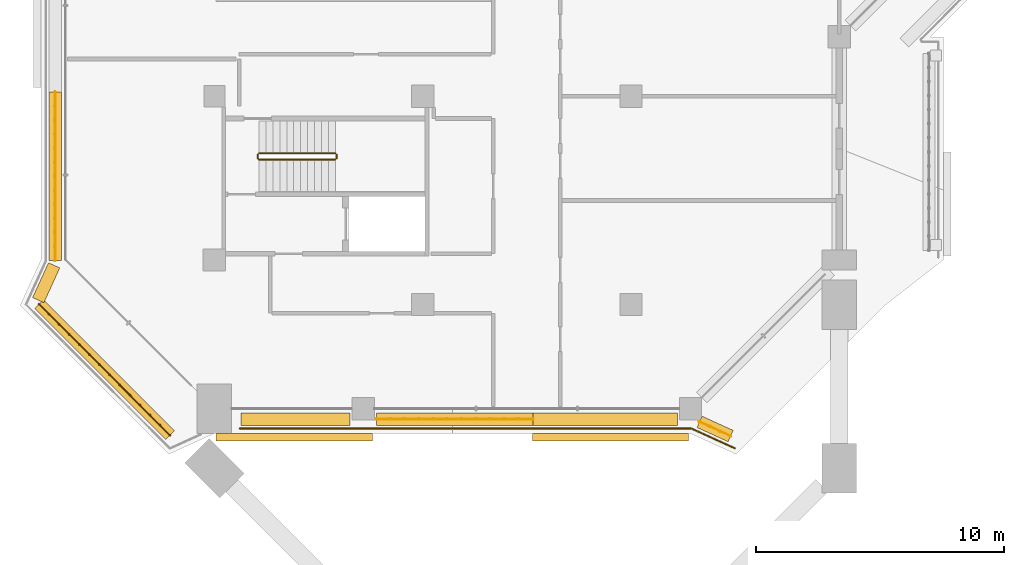
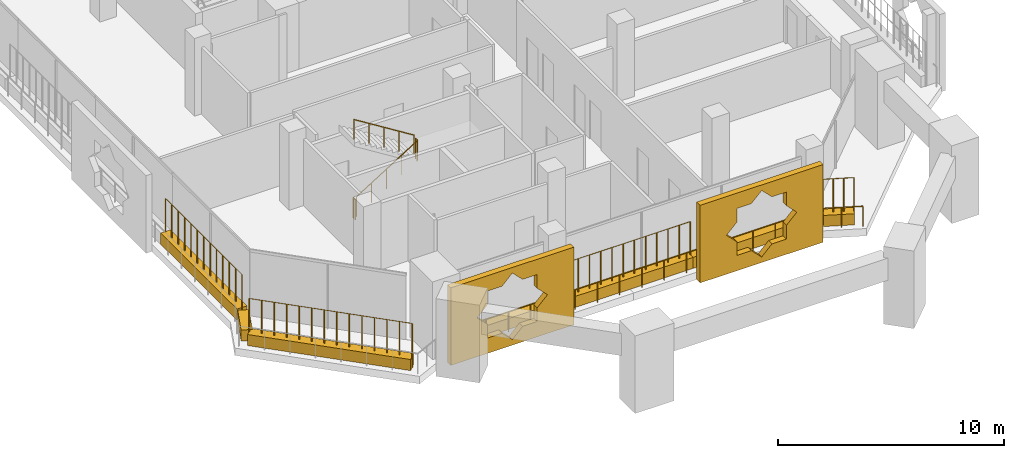
# One storey, part 17 of 23: 9 coverings, 9 railings.
"""IFC4 building model written with IfcOpenShell, lengths in metres."""

import ifcopenshell
import ifcopenshell.guid

model = None  # the IFC model being written
_history = None  # IfcOwnerHistory: only IFC2X3 demands one
_inside = {}  # id of a spatial element -> (the spatial element, [elements in it])
_under = {}  # id of a project, library or spatial element -> (it, [spatial elements below it])
_declared = {}  # id of a project -> (the project, [libraries it declares])
_typed = {}  # id of a type object -> (the type object, [elements of that type])
_made_of = {}  # id of a material, layer set ... -> (it, [elements and type objects made of it])


def new_model(schema):
    """Start an empty IFC model of exactly this schema.

    Asked for "IFC4X3", IfcOpenShell would pick the latest addendum, in which some entities
    have other attributes; the version numbers below select the first issue.
    IFC2X3 requires an IfcOwnerHistory on every rooted entity: one is made here for all.
    """
    global model, _history
    if schema == "IFC4X3":
        model = ifcopenshell.file(schema_version=(4, 3, 0, 0))
    else:
        model = ifcopenshell.file(schema=schema)
    _inside.clear()
    _under.clear()
    _declared.clear()
    _typed.clear()
    _made_of.clear()
    _history = None
    if model.schema == "IFC2X3":
        org = make("IfcOrganization", Name="unknown")
        user = make(
            "IfcPersonAndOrganization",
            ThePerson=make("IfcPerson", FamilyName="unknown"),
            TheOrganization=org,
        )
        app = make(
            "IfcApplication",
            ApplicationDeveloper=org,
            Version="unknown",
            ApplicationFullName="unknown",
            ApplicationIdentifier="unknown",
        )
        _history = make(
            "IfcOwnerHistory",
            OwningUser=user,
            OwningApplication=app,
            ChangeAction="ADDED",
            CreationDate=0,
        )
    return model


def make(cls, **values):
    """One entity of the class cls with the attributes given. An attribute that is None is left unset."""
    return model.create_entity(
        cls, **{name: value for name, value in values.items() if value is not None}
    )


def rooted(cls, **values):
    """An entity with a GlobalId (a new one), such as an element, a storey or a relation."""
    return make(cls, GlobalId=ifcopenshell.guid.new(), OwnerHistory=_history, **values)


def si_unit(unit_type, name, prefix=None):
    """IfcSIUnit, for example si_unit("LENGTHUNIT", "METRE", prefix="MILLI")."""
    return make("IfcSIUnit", UnitType=unit_type, Prefix=prefix, Name=name)


def assignment(units):
    """IfcUnitAssignment: the units of a project."""
    return None if units is None else make("IfcUnitAssignment", Units=units)


def point(xyz):
    """IfcCartesianPoint."""
    return None if xyz is None else make("IfcCartesianPoint", Coordinates=xyz)


def direction(xyz):
    """IfcDirection."""
    return None if xyz is None else make("IfcDirection", DirectionRatios=xyz)


def frame(location, z_axis=None, x_axis=None):
    """IfcAxis2Placement3D, a coordinate frame: its origin and axes. An axis left out is left unset."""
    return make(
        "IfcAxis2Placement3D",
        Location=point(location),
        Axis=direction(z_axis),
        RefDirection=direction(x_axis),
    )


def frame_2d(location, x_axis=None):
    """IfcAxis2Placement2D, a coordinate frame in the plane: its origin and x axis."""
    return make(
        "IfcAxis2Placement2D", Location=point(location), RefDirection=direction(x_axis)
    )


def origin():
    """The frame at (0, 0, 0) with its axes left unset."""
    return frame((0.0, 0.0, 0.0))


def origin_2d():
    """The frame at (0, 0) in the plane with its x axis left unset."""
    return frame_2d((0.0, 0.0))


def place(relative_to, where):
    """IfcLocalPlacement: puts the frame where relative to a parent placement (None: the world)."""
    return make(
        "IfcLocalPlacement", PlacementRelTo=relative_to, RelativePlacement=where
    )


def context(
    kind, dimensions, precision=None, world=None, true_north=None, identifier=None
):
    """IfcGeometricRepresentationContext, for example the 3D "Model" context."""
    return make(
        "IfcGeometricRepresentationContext",
        ContextIdentifier=identifier,
        ContextType=kind,
        CoordinateSpaceDimension=dimensions,
        Precision=precision,
        WorldCoordinateSystem=world,
        TrueNorth=true_north,
    )


def subcontext(parent, identifier, kind, view, scale=None):
    """IfcGeometricRepresentationSubContext, for example "Body" below "Model"."""
    return make(
        "IfcGeometricRepresentationSubContext",
        ContextIdentifier=identifier,
        ContextType=kind,
        ParentContext=parent,
        TargetScale=scale,
        TargetView=view,
    )


def project(units=None, contexts=None):
    """IfcProject with its units and contexts."""
    return rooted(
        "IfcProject",
        Name="project",
        RepresentationContexts=contexts,
        UnitsInContext=assignment(units),
    )


def spatial(cls, under=None, at=None, **own):
    """A site, building, storey or space (cls), placed at a placement, below another one or the project."""
    s = rooted(cls, ObjectPlacement=at, **own)
    if under is not None:
        _under.setdefault(under.id(), (under, []))[1].append(s)
    return s


def polyline(points):
    """IfcPolyline through the points."""
    return make("IfcPolyline", Points=[point(p) for p in points])


def profile(cls, at=None, kind="AREA", **sizes):
    """A parametric profile (cls). Its sizes go by their IFC names, for example OverallWidth=200.0."""
    return make(cls, ProfileType=kind, Position=at, **sizes)


def rectangle(**sizes):
    """IfcRectangleProfileDef."""
    return profile("IfcRectangleProfileDef", **sizes)


def circle(**sizes):
    """IfcCircleProfileDef."""
    return profile("IfcCircleProfileDef", **sizes)


def outline(outer, holes=None, kind="AREA"):
    """IfcArbitraryClosedProfileDef: a profile drawn as a closed curve; with holes, ...WithVoids."""
    if holes is None:
        return make("IfcArbitraryClosedProfileDef", ProfileType=kind, OuterCurve=outer)
    return make(
        "IfcArbitraryProfileDefWithVoids",
        ProfileType=kind,
        OuterCurve=outer,
        InnerCurves=holes,
    )


def extrude(swept, where, along, depth):
    """IfcExtrudedAreaSolid: the profile swept, set in the frame where, extruded along a direction by depth."""
    return make(
        "IfcExtrudedAreaSolid",
        SweptArea=swept,
        Position=where,
        ExtrudedDirection=direction(along),
        Depth=depth,
    )


def shape(context_of_items, identifier, shape_type, items):
    """IfcShapeRepresentation: the items that make up one representation, for example the "Body"."""
    return make(
        "IfcShapeRepresentation",
        ContextOfItems=context_of_items,
        RepresentationIdentifier=identifier,
        RepresentationType=shape_type,
        Items=items,
    )


def material(Name=None, Category=None):
    """IfcMaterial."""
    return make("IfcMaterial", Name=Name, Category=Category)


def material_profile(
    of_material, cross_section, Name=None, Category=None, Priority=None
):
    """IfcMaterialProfile: a cross section and its material."""
    return make(
        "IfcMaterialProfile",
        Name=Name,
        Material=of_material,
        Profile=cross_section,
        Priority=Priority,
        Category=Category,
    )


def profile_set(profiles, Name=None, composite=None):
    """IfcMaterialProfileSet."""
    return make(
        "IfcMaterialProfileSet",
        Name=Name,
        MaterialProfiles=profiles,
        CompositeProfile=composite,
    )


def made_of(thing, what):
    """Note that an element or type object is made of a material, layer set ...; save() writes the relation."""
    if what is not None:
        _made_of.setdefault(what.id(), (what, []))[1].append(thing)
    return thing


def type_object(cls, material=None, **own):
    """A type object (cls), such as IfcWallType, which elements share."""
    return made_of(rooted(cls, **own), material)


def element(
    cls,
    number,
    at=None,
    inside=None,
    cuts=None,
    type_object=None,
    material=None,
    context=None,
    identifier="Body",
    shape_type=None,
    held_by="IfcProductDefinitionShape",
    body=None,
    shapes=None,
    **own,
):
    """One element of the class cls, such as IfcWall. Its Tag is "e" and its number.

    at: its placement. inside: the storey or other place that contains it. cuts: it is an
    opening in that element (IfcRelVoidsElement). A single representation is given by context,
    identifier, shape_type and body (its items); several are given by shapes. held_by: the class
    of the entity that holds the representations. save() writes the other relations.
    """
    e = rooted(cls, Tag="e%d" % number, ObjectPlacement=at, **own)
    if body is not None:
        shapes = [shape(context, identifier, shape_type, body)]
    if shapes is not None:
        e.Representation = make(held_by, Representations=shapes)
    if inside is not None:
        _inside.setdefault(inside.id(), (inside, []))[1].append(e)
    if cuts is not None:
        rooted(
            "IfcRelVoidsElement", RelatingBuildingElement=cuts, RelatedOpeningElement=e
        )
    if type_object is not None:
        _typed.setdefault(type_object.id(), (type_object, []))[1].append(e)
    return made_of(e, material)


def aggregate(whole, parts):
    """IfcRelAggregates: a whole, such as a stair, and the parts it consists of."""
    return rooted("IfcRelAggregates", RelatingObject=whole, RelatedObjects=parts)


def save(model, path):
    """Write the relations noted so far, then the file.

    IfcRelAggregates (storeys below a building ...), IfcRelContainedInSpatialStructure (elements
    in a storey), IfcRelDefinesByType, IfcRelAssociatesMaterial and IfcRelDeclares: one each for
    every whole, place, type object, material and project.
    """
    for whole, parts in _under.values():
        aggregate(whole, parts)
    for where, things in _inside.values():
        rooted(
            "IfcRelContainedInSpatialStructure",
            RelatedElements=things,
            RelatingStructure=where,
        )
    for kind, things in _typed.values():
        rooted("IfcRelDefinesByType", RelatedObjects=things, RelatingType=kind)
    for what, things in _made_of.values():
        rooted("IfcRelAssociatesMaterial", RelatedObjects=things, RelatingMaterial=what)
    for by, libraries in _declared.values():
        rooted("IfcRelDeclares", RelatingContext=by, RelatedDefinitions=libraries)
    model.write(path)


model = new_model("IFC4")

# Units and contexts
model_context = context("Model", 3, precision=1e-05, world=origin(), true_north=direction((0.0, 1.0)))
body_context = subcontext(model_context, "Body", "Model", "MODEL_VIEW")
ifc_project = project(units=[si_unit("LENGTHUNIT", "METRE"), si_unit("AREAUNIT", "SQUARE_METRE"), si_unit("VOLUMEUNIT", "CUBIC_METRE"), si_unit("PLANEANGLEUNIT", "RADIAN"), si_unit("MASSUNIT", "GRAM", prefix="KILO")], contexts=[model_context])

# Site, building, storey
site_placement = place(None, origin())
site = spatial("IfcSite", under=ifc_project, at=site_placement, CompositionType="ELEMENT")
building_placement = place(site_placement, origin())
building = spatial("IfcBuilding", under=site, at=building_placement, Name="Kawkab Arch Medical Tower", CompositionType="ELEMENT")
storey_placement = place(building_placement, frame((0.0, 0.0, 226.39990234375)))
storey = spatial("IfcBuildingStorey", under=building, at=storey_placement, Name="L52", CompositionType="ELEMENT", Elevation=226.39990234375)

# Railing
ifc_material_1 = material(Name="Bronze anodised aluminium guard", Category="aluminium")
railing_type_1 = type_object("IfcRailingType", Name="Loggia and terrace guard 1100", PredefinedType="GUARDRAIL", material=ifc_material_1)
railing_1_placement = place(storey_placement, frame((20.9951171875, -47.798095703125, 0.0)))
element("IfcRailing", 1, at=railing_1_placement, inside=storey, type_object=railing_type_1, Name="Guard L52.LOG-01.2.1", PredefinedType="GUARDRAIL", context=body_context, shape_type="SweptSolid", body=[
    extrude(circle(Radius=0.02392578125, at=origin_2d()), frame((0.0, 0.0, 1.076171875), z_axis=(-0.910044860056, 0.414509773934, 0.0), x_axis=(-0.414509773934, -0.910044860056, 0.0)), (0.0, 0.0, 1.0), 1.92529296875),
    extrude(circle(Radius=0.02392578125, at=origin_2d()), frame((-1.752197265625, 0.798095703125, 1.076171875), z_axis=(-1.0, 0.0, 0.0), x_axis=(0.0, -1.0, 0.0)), (0.0, 0.0, 1.0), 18.212890625),
    extrude(circle(Radius=0.02099609375, at=origin_2d()), origin(), (0.0, 0.0, 1.0), 1.052001953125),
    extrude(circle(Radius=0.02099609375, at=origin_2d()), frame((-0.8759765625, 0.39892578125, 0.0)), (0.0, 0.0, 1.0), 1.052001953125),
    extrude(circle(Radius=0.02099609375, at=origin_2d()), frame((-1.752197265625, 0.798095703125, 0.0)), (0.0, 0.0, 1.0), 1.052001953125),
    extrude(circle(Radius=0.02099609375, at=origin_2d()), frame((-2.890625, 0.798095703125, 0.0)), (0.0, 0.0, 1.0), 1.052001953125),
    extrude(circle(Radius=0.02099609375, at=origin_2d()), frame((-4.02880859375, 0.798095703125, 0.0)), (0.0, 0.0, 1.0), 1.052001953125),
    extrude(circle(Radius=0.02099609375, at=origin_2d()), frame((-5.1669921875, 0.798095703125, 0.0)), (0.0, 0.0, 1.0), 1.052001953125),
    extrude(circle(Radius=0.02099609375, at=origin_2d()), frame((-6.305419921875, 0.798095703125, 0.0)), (0.0, 0.0, 1.0), 1.052001953125),
    extrude(circle(Radius=0.02099609375, at=origin_2d()), frame((-7.44384765625, 0.798095703125, 0.0)), (0.0, 0.0, 1.0), 1.052001953125),
    extrude(circle(Radius=0.02099609375, at=origin_2d()), frame((-8.58203125, 0.798095703125, 0.0)), (0.0, 0.0, 1.0), 1.052001953125),
    extrude(circle(Radius=0.02099609375, at=origin_2d()), frame((-9.72021484375, 0.798095703125, 0.0)), (0.0, 0.0, 1.0), 1.052001953125),
    extrude(circle(Radius=0.02099609375, at=origin_2d()), frame((-10.858642578125, 0.798095703125, 0.0)), (0.0, 0.0, 1.0), 1.052001953125),
    extrude(circle(Radius=0.02099609375, at=origin_2d()), frame((-11.9970703125, 0.798095703125, 0.0)), (0.0, 0.0, 1.0), 1.052001953125),
    extrude(circle(Radius=0.02099609375, at=origin_2d()), frame((-13.13525390625, 0.798095703125, 0.0)), (0.0, 0.0, 1.0), 1.052001953125),
    extrude(circle(Radius=0.02099609375, at=origin_2d()), frame((-14.2734375, 0.798095703125, 0.0)), (0.0, 0.0, 1.0), 1.052001953125),
    extrude(circle(Radius=0.02099609375, at=origin_2d()), frame((-15.411865234375, 0.798095703125, 0.0)), (0.0, 0.0, 1.0), 1.052001953125),
    extrude(circle(Radius=0.02099609375, at=origin_2d()), frame((-16.55029296875, 0.798095703125, 0.0)), (0.0, 0.0, 1.0), 1.052001953125),
    extrude(circle(Radius=0.02099609375, at=origin_2d()), frame((-17.6884765625, 0.798095703125, 0.0)), (0.0, 0.0, 1.0), 1.052001953125),
    extrude(circle(Radius=0.02099609375, at=origin_2d()), frame((-18.82666015625, 0.798095703125, 0.0)), (0.0, 0.0, 1.0), 1.052001953125),
    extrude(circle(Radius=0.02099609375, at=origin_2d()), frame((-19.965087890625, 0.798095703125, 0.0)), (0.0, 0.0, 1.0), 1.052001953125),
])

# Coverings
ifc_material_2 = material(Name="Bronze anodised aluminium mashrabiya panel, eight-point star pattern", Category="aluminium")
ifc_material_profile_1 = material_profile(ifc_material_2, outline(polyline([(-3.14990234375, -2.10009765625), (3.14990234375, -2.10009765625), (3.14990234375, 2.10009765625), (-3.14990234375, 2.10009765625), (-3.14990234375, -2.10009765625)]), holes=[polyline([(1.800048828125, 0.0), (1.272705078125, 0.527099609375), (1.272705078125, 1.272705078125), (0.527099609375, 1.272705078125), (0.0, 1.800048828125), (-0.527099609375, 1.272705078125), (-1.272705078125, 1.272705078125), (-1.272705078125, 0.527099609375), (-1.800048828125, 0.0), (-1.272705078125, -0.527099609375), (-1.272705078125, -1.272705078125), (-0.527099609375, -1.272705078125), (0.0, -1.800048828125), (0.527099609375, -1.272705078125), (1.272705078125, -1.272705078125), (1.272705078125, -0.527099609375), (1.800048828125, 0.0)])]), Name="Mashrabiya panel 6300x4200")
ifc_profile_set_1 = profile_set([ifc_material_profile_1], Name="Bronze anodised aluminium mashrabiya panel, eight-point star pattern")
covering_type_1 = type_object("IfcCoveringType", Name="Mashrabiya panel 6300 x 4200", PredefinedType="USERDEFINED", material=ifc_profile_set_1)
for number, where, z_axis, x_axis, name in (
    (2, (15.9814453125, -47.199951171875, 1.7001953125), (0.0, -1.0, 0.0), (1.0, 0.0, 0.0), "Mashrabiya panel L52.LOG-01-02.1"),
    (3, (3.218505859375, -47.199951171875, 1.7001953125), (0.0, -1.0, 0.0), (1.0, 0.0, 0.0), "Mashrabiya panel L52.LOG-01-02.2"),
):
    element("IfcCovering", number, at=place(storey_placement, frame(where, z_axis=z_axis, x_axis=x_axis)), inside=storey, type_object=covering_type_1, Name=name, ObjectType="SCREEN", PredefinedType="USERDEFINED", context=body_context, shape_type="SweptSolid", body=[
        extrude(outline(polyline([(-3.14990234375, -2.10009765625), (3.14990234375, -2.10009765625), (3.14990234375, 2.10009765625), (-3.14990234375, 2.10009765625), (-3.14990234375, -2.10009765625)]), holes=[polyline([(1.800048828125, 0.0), (1.272705078125, 0.527099609375), (1.272705078125, 1.272705078125), (0.527099609375, 1.272705078125), (0.0, 1.800048828125), (-0.527099609375, 1.272705078125), (-1.272705078125, 1.272705078125), (-1.272705078125, 0.527099609375), (-1.800048828125, 0.0), (-1.272705078125, -0.527099609375), (-1.272705078125, -1.272705078125), (-0.527099609375, -1.272705078125), (0.0, -1.800048828125), (0.527099609375, -1.272705078125), (1.272705078125, -1.272705078125), (1.272705078125, -0.527099609375), (1.800048828125, 0.0)])]), origin(), (0.0, 0.0, 1.0), 0.300048828125),
    ])
ifc_material_3 = material(Name="Planting soil in a precast trough", Category="concrete")
ifc_material_profile_2 = material_profile(ifc_material_3, rectangle(XDim=0.5, YDim=0.60009765625, at=origin_2d()), Name="Trough 500x600")
ifc_profile_set_2 = profile_set([ifc_material_profile_2], Name="Planting soil in a precast trough")
covering_type_2 = type_object("IfcCoveringType", Name="Planter trough 500 x 600", PredefinedType="USERDEFINED", material=ifc_profile_set_2)
covering_1_placement = place(storey_placement, frame((20.821044921875, -47.302001953125, 0.300048828125), z_axis=(-0.909831953447, 0.41497688669, 0.0), x_axis=(-0.41497688669, -0.909831953447, 0.0)))
element("IfcCovering", 4, at=covering_1_placement, inside=storey, type_object=covering_type_2, Name="Planter L52.LOG-01-02.1", ObjectType="PLANTER", PredefinedType="USERDEFINED", context=body_context, shape_type="SweptSolid", body=[
    extrude(rectangle(XDim=0.5, YDim=0.60009765625, at=origin_2d()), origin(), (0.0, 0.0, 1.0), 1.37841796875),
])
covering_2_placement = place(storey_placement, frame((18.669921875, -46.6201171875, 0.300048828125), z_axis=(-1.0, 0.0, 0.0), x_axis=(0.0, -1.0, 0.0)))
element("IfcCovering", 5, at=covering_2_placement, inside=storey, type_object=covering_type_2, Name="Planter L52.LOG-01-02.2", ObjectType="PLANTER", PredefinedType="USERDEFINED", context=body_context, shape_type="SweptSolid", body=[
    extrude(rectangle(XDim=0.5, YDim=0.60009765625, at=origin_2d()), origin(), (0.0, 0.0, 1.0), 5.827880859375),
])
covering_3_placement = place(storey_placement, frame((12.842041015625, -46.6201171875, 0.300048828125), z_axis=(-1.0, 0.0, 0.0), x_axis=(0.0, -1.0, 0.0)))
element("IfcCovering", 6, at=covering_3_placement, inside=storey, type_object=covering_type_2, Name="Planter L52.LOG-01-02.3", ObjectType="PLANTER", PredefinedType="USERDEFINED", context=body_context, shape_type="SweptSolid", body=[
    extrude(rectangle(XDim=0.5, YDim=0.60009765625, at=origin_2d()), origin(), (0.0, 0.0, 1.0), 6.31201171875),
])
covering_4_placement = place(storey_placement, frame((5.469970703125, -46.6201171875, 0.300048828125), z_axis=(-1.0, 0.0, 0.0), x_axis=(0.0, -1.0, 0.0)))
element("IfcCovering", 7, at=covering_4_placement, inside=storey, type_object=covering_type_2, Name="Planter L52.LOG-01-02.4", ObjectType="PLANTER", PredefinedType="USERDEFINED", context=body_context, shape_type="SweptSolid", body=[
    extrude(rectangle(XDim=0.5, YDim=0.60009765625, at=origin_2d()), origin(), (0.0, 0.0, 1.0), 4.389892578125),
])
covering_5_placement = place(storey_placement, frame((-1.782958984375, -47.27294921875, 0.300048828125), z_axis=(-0.707106781187, 0.707106781187, 0.0), x_axis=(-0.707106781187, -0.707106781187, 0.0)))
element("IfcCovering", 8, at=covering_5_placement, inside=storey, type_object=covering_type_2, Name="Planter L52.LOG-01-02.5", ObjectType="PLANTER", PredefinedType="USERDEFINED", context=body_context, shape_type="SweptSolid", body=[
    extrude(rectangle(XDim=0.5, YDim=0.60009765625, at=origin_2d()), origin(), (0.0, 0.0, 1.0), 7.481201171875),
])
covering_6_placement = place(storey_placement, frame((-7.10205078125, -41.821044921875, 0.300048828125), z_axis=(0.415363486165, 0.909655525109, 0.0), x_axis=(-0.909655525109, 0.415363486165, 0.0)))
element("IfcCovering", 9, at=covering_6_placement, inside=storey, type_object=covering_type_2, Name="Planter L52.LOG-01-02.6", ObjectType="PLANTER", PredefinedType="USERDEFINED", context=body_context, shape_type="SweptSolid", body=[
    extrude(rectangle(XDim=0.5, YDim=0.60009765625, at=origin_2d()), origin(), (0.0, 0.0, 1.0), 1.54345703125),
])
covering_7_placement = place(storey_placement, frame((-6.419921875, -40.22607421875, 0.300048828125), z_axis=(0.0, 1.0, 0.0), x_axis=(-1.0, 0.0, 0.0)))
element("IfcCovering", 10, at=covering_7_placement, inside=storey, type_object=covering_type_2, Name="Planter L52.LOG-01-02.7", ObjectType="PLANTER", PredefinedType="USERDEFINED", context=body_context, shape_type="SweptSolid", body=[
    extrude(rectangle(XDim=0.5, YDim=0.60009765625, at=origin_2d()), origin(), (0.0, 0.0, 1.0), 6.7900390625),
])

# Railings
ifc_material_4 = material(Name="Bronze anodised aluminium trellis for climbing plants", Category="aluminium")
railing_type_2 = type_object("IfcRailingType", Name="Planting trellis 2400", PredefinedType="USERDEFINED", material=ifc_material_4)
railing_2_placement = place(storey_placement, frame((20.821044921875, -47.302001953125, 0.0)))
element("IfcRailing", 11, at=railing_2_placement, inside=storey, type_object=railing_type_2, Name="Planting trellis L52.LOG-01-02.1", ObjectType="TRELLIS", PredefinedType="USERDEFINED", context=body_context, shape_type="SweptSolid", body=[
    extrude(circle(Radius=0.01513671875, at=origin_2d()), frame((0.0, 0.0, 2.384765625), z_axis=(-0.909831953447, 0.41497688669, 0.0), x_axis=(-0.41497688669, -0.909831953447, 0.0)), (0.0, 0.0, 1.0), 1.37841796875),
    extrude(circle(Radius=0.030029296875, at=origin_2d()), origin(), (0.0, 0.0, 1.0), 2.369873046875),
    extrude(circle(Radius=0.030029296875, at=origin_2d()), frame((-0.41796875, 0.190673828125, 0.0)), (0.0, 0.0, 1.0), 2.369873046875),
    extrude(circle(Radius=0.030029296875, at=origin_2d()), frame((-0.836181640625, 0.38134765625, 0.0)), (0.0, 0.0, 1.0), 2.369873046875),
    extrude(circle(Radius=0.030029296875, at=origin_2d()), frame((-1.254150390625, 0.572021484375, 0.0)), (0.0, 0.0, 1.0), 2.369873046875),
])
railing_3_placement = place(storey_placement, frame((12.842041015625, -46.6201171875, 0.0)))
element("IfcRailing", 12, at=railing_3_placement, inside=storey, type_object=railing_type_2, Name="Planting trellis L52.LOG-01-02.3", ObjectType="TRELLIS", PredefinedType="USERDEFINED", context=body_context, shape_type="SweptSolid", body=[
    extrude(circle(Radius=0.01513671875, at=origin_2d()), frame((0.0, 0.0, 2.384765625), z_axis=(-1.0, 0.0, 0.0), x_axis=(0.0, -1.0, 0.0)), (0.0, 0.0, 1.0), 6.31201171875),
    extrude(circle(Radius=0.030029296875, at=origin_2d()), origin(), (0.0, 0.0, 1.0), 2.369873046875),
    extrude(circle(Radius=0.030029296875, at=origin_2d()), frame((-0.57373046875, 0.0, 0.0)), (0.0, 0.0, 1.0), 2.369873046875),
    extrude(circle(Radius=0.030029296875, at=origin_2d()), frame((-1.147705078125, 0.0, 0.0)), (0.0, 0.0, 1.0), 2.369873046875),
    extrude(circle(Radius=0.030029296875, at=origin_2d()), frame((-1.721435546875, 0.0, 0.0)), (0.0, 0.0, 1.0), 2.369873046875),
    extrude(circle(Radius=0.030029296875, at=origin_2d()), frame((-2.295166015625, 0.0, 0.0)), (0.0, 0.0, 1.0), 2.369873046875),
    extrude(circle(Radius=0.030029296875, at=origin_2d()), frame((-2.869140625, 0.0, 0.0)), (0.0, 0.0, 1.0), 2.369873046875),
    extrude(circle(Radius=0.030029296875, at=origin_2d()), frame((-3.44287109375, 0.0, 0.0)), (0.0, 0.0, 1.0), 2.369873046875),
    extrude(circle(Radius=0.030029296875, at=origin_2d()), frame((-4.016845703125, 0.0, 0.0)), (0.0, 0.0, 1.0), 2.369873046875),
    extrude(circle(Radius=0.030029296875, at=origin_2d()), frame((-4.590576171875, 0.0, 0.0)), (0.0, 0.0, 1.0), 2.369873046875),
    extrude(circle(Radius=0.030029296875, at=origin_2d()), frame((-5.164306640625, 0.0, 0.0)), (0.0, 0.0, 1.0), 2.369873046875),
    extrude(circle(Radius=0.030029296875, at=origin_2d()), frame((-5.73828125, 0.0, 0.0)), (0.0, 0.0, 1.0), 2.369873046875),
    extrude(circle(Radius=0.030029296875, at=origin_2d()), frame((-6.31201171875, 0.0, 0.0)), (0.0, 0.0, 1.0), 2.369873046875),
])
railing_4_placement = place(storey_placement, frame((-1.782958984375, -47.27294921875, 0.0)))
element("IfcRailing", 13, at=railing_4_placement, inside=storey, type_object=railing_type_2, Name="Planting trellis L52.LOG-01-02.5", ObjectType="TRELLIS", PredefinedType="USERDEFINED", context=body_context, shape_type="SweptSolid", body=[
    extrude(circle(Radius=0.01513671875, at=origin_2d()), frame((0.0, 0.0, 2.384765625), z_axis=(-0.707106781187, 0.707106781187, 0.0), x_axis=(-0.707106781187, -0.707106781187, 0.0)), (0.0, 0.0, 1.0), 7.481201171875),
    extrude(circle(Radius=0.030029296875, at=origin_2d()), origin(), (0.0, 0.0, 1.0), 2.369873046875),
    extrude(circle(Radius=0.030029296875, at=origin_2d()), frame((-0.406982421875, 0.406982421875, 0.0)), (0.0, 0.0, 1.0), 2.369873046875),
    extrude(circle(Radius=0.030029296875, at=origin_2d()), frame((-0.81396484375, 0.81396484375, 0.0)), (0.0, 0.0, 1.0), 2.369873046875),
    extrude(circle(Radius=0.030029296875, at=origin_2d()), frame((-1.220703125, 1.220703125, 0.0)), (0.0, 0.0, 1.0), 2.369873046875),
    extrude(circle(Radius=0.030029296875, at=origin_2d()), frame((-1.627685546875, 1.627685546875, 0.0)), (0.0, 0.0, 1.0), 2.369873046875),
    extrude(circle(Radius=0.030029296875, at=origin_2d()), frame((-2.03466796875, 2.03466796875, 0.0)), (0.0, 0.0, 1.0), 2.369873046875),
    extrude(circle(Radius=0.030029296875, at=origin_2d()), frame((-2.441650390625, 2.441650390625, 0.0)), (0.0, 0.0, 1.0), 2.369873046875),
    extrude(circle(Radius=0.030029296875, at=origin_2d()), frame((-2.848388671875, 2.848388671875, 0.0)), (0.0, 0.0, 1.0), 2.369873046875),
    extrude(circle(Radius=0.030029296875, at=origin_2d()), frame((-3.25537109375, 3.25537109375, 0.0)), (0.0, 0.0, 1.0), 2.369873046875),
    extrude(circle(Radius=0.030029296875, at=origin_2d()), frame((-3.662353515625, 3.662353515625, 0.0)), (0.0, 0.0, 1.0), 2.369873046875),
    extrude(circle(Radius=0.030029296875, at=origin_2d()), frame((-4.0693359375, 4.0693359375, 0.0)), (0.0, 0.0, 1.0), 2.369873046875),
    extrude(circle(Radius=0.030029296875, at=origin_2d()), frame((-4.47607421875, 4.47607421875, 0.0)), (0.0, 0.0, 1.0), 2.369873046875),
    extrude(circle(Radius=0.030029296875, at=origin_2d()), frame((-4.883056640625, 4.883056640625, 0.0)), (0.0, 0.0, 1.0), 2.369873046875),
    extrude(circle(Radius=0.030029296875, at=origin_2d()), frame((-5.2900390625, 5.2900390625, 0.0)), (0.0, 0.0, 1.0), 2.369873046875),
])
railing_5_placement = place(storey_placement, frame((-6.419921875, -40.22607421875, 0.0)))
element("IfcRailing", 14, at=railing_5_placement, inside=storey, type_object=railing_type_2, Name="Planting trellis L52.LOG-01-02.7", ObjectType="TRELLIS", PredefinedType="USERDEFINED", context=body_context, shape_type="SweptSolid", body=[
    extrude(circle(Radius=0.01513671875, at=origin_2d()), frame((0.0, 0.0, 2.384765625), z_axis=(0.0, 1.0, 0.0), x_axis=(-1.0, 0.0, 0.0)), (0.0, 0.0, 1.0), 6.7900390625),
    extrude(circle(Radius=0.030029296875, at=origin_2d()), origin(), (0.0, 0.0, 1.0), 2.369873046875),
    extrude(circle(Radius=0.030029296875, at=origin_2d()), frame((0.0, 0.56591796875, 0.0)), (0.0, 0.0, 1.0), 2.369873046875),
    extrude(circle(Radius=0.030029296875, at=origin_2d()), frame((0.0, 1.131591796875, 0.0)), (0.0, 0.0, 1.0), 2.369873046875),
    extrude(circle(Radius=0.030029296875, at=origin_2d()), frame((0.0, 1.697509765625, 0.0)), (0.0, 0.0, 1.0), 2.369873046875),
    extrude(circle(Radius=0.030029296875, at=origin_2d()), frame((0.0, 2.263427734375, 0.0)), (0.0, 0.0, 1.0), 2.369873046875),
    extrude(circle(Radius=0.030029296875, at=origin_2d()), frame((0.0, 2.8291015625, 0.0)), (0.0, 0.0, 1.0), 2.369873046875),
    extrude(circle(Radius=0.030029296875, at=origin_2d()), frame((0.0, 3.39501953125, 0.0)), (0.0, 0.0, 1.0), 2.369873046875),
    extrude(circle(Radius=0.030029296875, at=origin_2d()), frame((0.0, 3.9609375, 0.0)), (0.0, 0.0, 1.0), 2.369873046875),
    extrude(circle(Radius=0.030029296875, at=origin_2d()), frame((0.0, 4.526611328125, 0.0)), (0.0, 0.0, 1.0), 2.369873046875),
    extrude(circle(Radius=0.030029296875, at=origin_2d()), frame((0.0, 5.092529296875, 0.0)), (0.0, 0.0, 1.0), 2.369873046875),
    extrude(circle(Radius=0.030029296875, at=origin_2d()), frame((0.0, 5.658447265625, 0.0)), (0.0, 0.0, 1.0), 2.369873046875),
    extrude(circle(Radius=0.030029296875, at=origin_2d()), frame((0.0, 6.22412109375, 0.0)), (0.0, 0.0, 1.0), 2.369873046875),
    extrude(circle(Radius=0.030029296875, at=origin_2d()), frame((0.0, 6.7900390625, 0.0)), (0.0, 0.0, 1.0), 2.369873046875),
])
ifc_material_5 = material(Name="Stainless steel", Category="steel")
railing_type_3 = type_object("IfcRailingType", Name="Stair guard 1100", PredefinedType="GUARDRAIL", material=ifc_material_5)
railing_6_placement = place(storey_placement, frame((1.800048828125, -36.14990234375, 0.175048828125)))
element("IfcRailing", 15, at=railing_6_placement, inside=storey, type_object=railing_type_3, Name="L52 ST6 stair guard 1", PredefinedType="GUARDRAIL", context=body_context, shape_type="SweptSolid", body=[
    extrude(circle(Radius=0.02392578125, at=origin_2d()), frame((0.0, 0.0, 1.076171875), z_axis=(0.847979421464, 0.0, 0.530029150871), x_axis=(0.0, 1.0, 0.0)), (0.0, 0.0, 1.0), 3.632080078125),
    extrude(circle(Radius=0.02099609375, at=origin_2d()), origin(), (0.0, 0.0, 1.0), 1.052001953125),
    extrude(circle(Radius=0.02099609375, at=origin_2d()), frame((0.77001953125, 0.0, 0.481201171875)), (0.0, 0.0, 1.0), 1.052001953125),
    extrude(circle(Radius=0.02099609375, at=origin_2d()), frame((1.5400390625, 0.0, 0.96240234375)), (0.0, 0.0, 1.0), 1.052001953125),
    extrude(circle(Radius=0.02099609375, at=origin_2d()), frame((2.309814453125, 0.0, 1.44384765625)), (0.0, 0.0, 1.0), 1.052001953125),
    extrude(circle(Radius=0.02099609375, at=origin_2d()), frame((3.079833984375, 0.0, 1.925048828125)), (0.0, 0.0, 1.0), 1.052001953125),
])
railing_7_placement = place(storey_placement, frame((4.929931640625, -36.10009765625, 2.10009765625)))
element("IfcRailing", 16, at=railing_7_placement, inside=storey, type_object=railing_type_3, Name="L52 ST6 stair guard 2", PredefinedType="GUARDRAIL", context=body_context, shape_type="SweptSolid", body=[
    extrude(circle(Radius=0.02392578125, at=origin_2d()), frame((0.0, 0.0, 1.076171875), z_axis=(0.0, 1.0, 0.0), x_axis=(-1.0, 0.0, 0.0)), (0.0, 0.0, 1.0), 0.150146484375),
    extrude(circle(Radius=0.02099609375, at=origin_2d()), origin(), (0.0, 0.0, 1.0), 1.052001953125),
    extrude(circle(Radius=0.02099609375, at=origin_2d()), frame((0.0, 0.150146484375, 0.0)), (0.0, 0.0, 1.0), 1.052001953125),
])
railing_8_placement = place(storey_placement, frame((4.8798828125, -35.89990234375, 2.275146484375)))
element("IfcRailing", 17, at=railing_8_placement, inside=storey, type_object=railing_type_3, Name="L52 ST6 stair guard 3", PredefinedType="GUARDRAIL", context=body_context, shape_type="SweptSolid", body=[
    extrude(circle(Radius=0.02392578125, at=origin_2d()), frame((0.0, 0.0, 1.076171875), z_axis=(-0.847979421464, 0.0, 0.530029150871), x_axis=(0.0, -1.0, 0.0)), (0.0, 0.0, 1.0), 3.632080078125),
    extrude(circle(Radius=0.02099609375, at=origin_2d()), origin(), (0.0, 0.0, 1.0), 1.052001953125),
    extrude(circle(Radius=0.02099609375, at=origin_2d()), frame((-0.77001953125, 0.0, 0.481201171875)), (0.0, 0.0, 1.0), 1.052001953125),
    extrude(circle(Radius=0.02099609375, at=origin_2d()), frame((-1.5400390625, 0.0, 0.96240234375)), (0.0, 0.0, 1.0), 1.052001953125),
    extrude(circle(Radius=0.02099609375, at=origin_2d()), frame((-2.309814453125, 0.0, 1.44384765625)), (0.0, 0.0, 1.0), 1.052001953125),
    extrude(circle(Radius=0.02099609375, at=origin_2d()), frame((-3.079833984375, 0.0, 1.925048828125)), (0.0, 0.0, 1.0), 1.052001953125),
])
railing_9_placement = place(storey_placement, frame((1.75, -36.10009765625, 0.0)))
element("IfcRailing", 18, at=railing_9_placement, inside=storey, type_object=railing_type_3, Name="L52 ST6 stair guard 4", PredefinedType="GUARDRAIL", context=body_context, shape_type="SweptSolid", body=[
    extrude(circle(Radius=0.02392578125, at=origin_2d()), frame((0.0, 0.0, 1.076171875), z_axis=(0.0, 1.0, 0.0), x_axis=(-1.0, 0.0, 0.0)), (0.0, 0.0, 1.0), 0.150146484375),
    extrude(circle(Radius=0.02099609375, at=origin_2d()), origin(), (0.0, 0.0, 1.0), 1.052001953125),
    extrude(circle(Radius=0.02099609375, at=origin_2d()), frame((0.0, 0.150146484375, 0.0)), (0.0, 0.0, 1.0), 1.052001953125),
])

save(model, "model.ifc")
